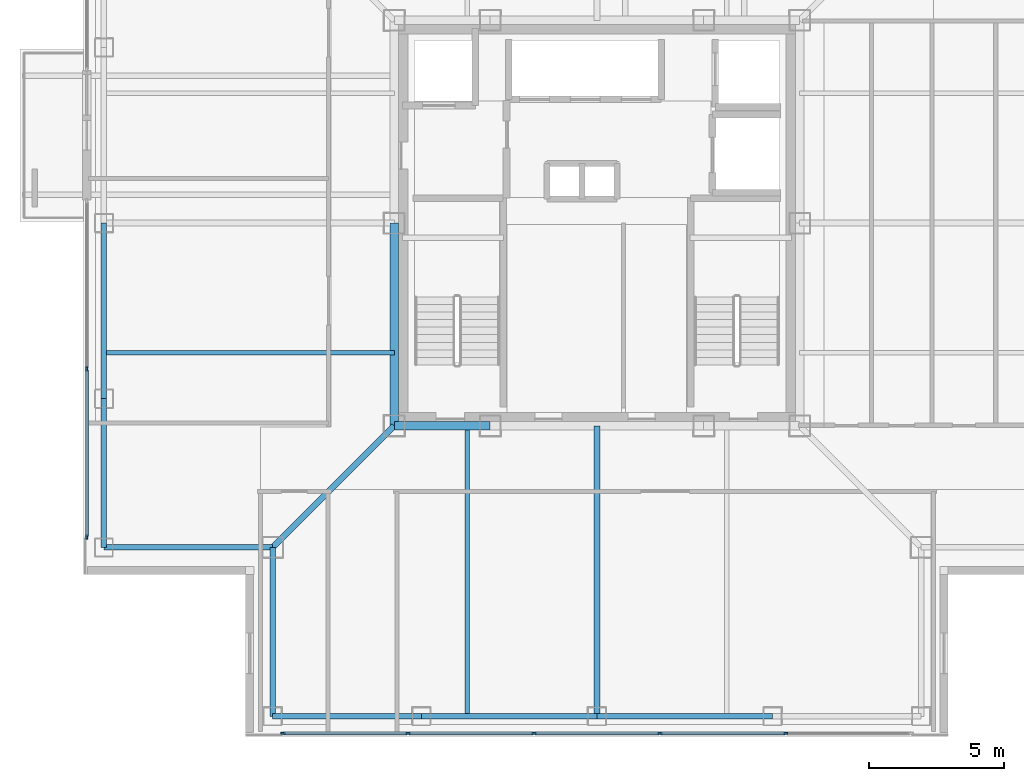
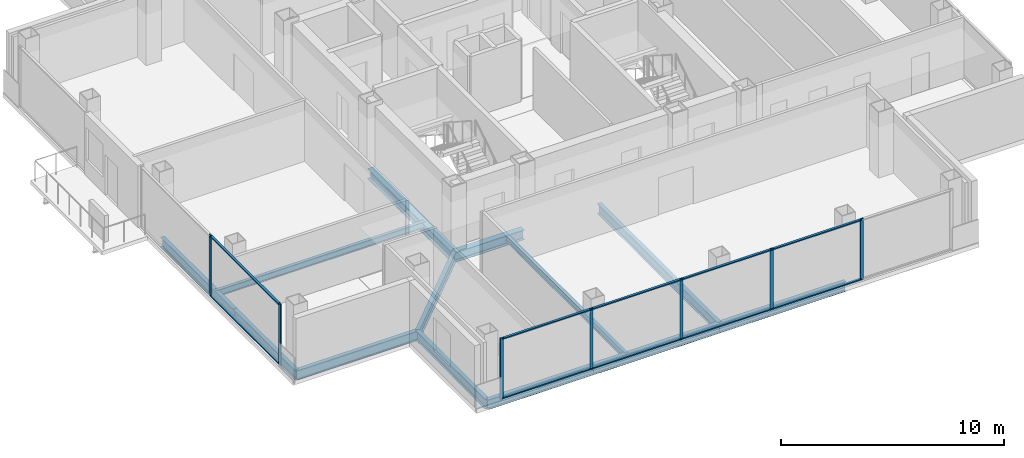
# One storey, part 2 of 13: 17 members, 13 beams, 2 elements without a shape of their own.
"""IFC4 building model written with IfcOpenShell, lengths in metres."""

from ifc_helpers import new_model, si_unit, direction, frame, origin, origin_2d, place, context, subcontext, project, spatial, rectangle, i_section, extrude, material, layer, layer_set, material_profile, profile_set, type_object, element, aggregate, save


model = new_model("IFC4")

# Units and contexts
model_context = context("Model", 3, precision=1e-05, world=origin(), true_north=direction((0.0, 1.0)))
body_context = subcontext(model_context, "Body", "Model", "MODEL_VIEW")
ifc_project = project(units=[si_unit("LENGTHUNIT", "METRE"), si_unit("AREAUNIT", "SQUARE_METRE"), si_unit("VOLUMEUNIT", "CUBIC_METRE"), si_unit("PLANEANGLEUNIT", "RADIAN"), si_unit("MASSUNIT", "GRAM", prefix="KILO")], contexts=[model_context])

# Site, building, storey
site_placement = place(None, origin())
site = spatial("IfcSite", under=ifc_project, at=site_placement, CompositionType="ELEMENT")
building_placement = place(site_placement, origin())
building = spatial("IfcBuilding", under=site, at=building_placement, Name="Trevonay Congress Spire", CompositionType="ELEMENT")
storey_placement = place(building_placement, frame((0.0, 0.0, 254.0)))
storey = spatial("IfcBuildingStorey", under=building, at=storey_placement, Name="L66", CompositionType="ELEMENT", Elevation=254.0)

# Beams
ifc_material_1 = material(Name="Steel ASTM A572 Grade 50", Category="steel")
ifc_material_profile_1 = material_profile(ifc_material_1, i_section(OverallWidth=0.2119140625, OverallDepth=0.5439453125, WebThickness=0.01318359375, FlangeThickness=0.021240234375, FilletRadius=0.014892578125, at=origin_2d()), Name="W530x123")
ifc_profile_set_1 = profile_set([ifc_material_profile_1], Name="Steel ASTM A572 Grade 50")
beam_type_1 = type_object("IfcBeamType", Name="BM-GIRD-W530X123", PredefinedType="BEAM", material=ifc_profile_set_1)
beam_1_placement = place(storey_placement, frame((-7.5, -7.5, -0.511962890625), z_axis=(-0.707106781187, -0.707106781187, 0.0), x_axis=(0.707106781187, -0.707106781187, 0.0)))
element("IfcBeam", 1, at=beam_1_placement, inside=storey, type_object=beam_type_1, Name="L66 structural beam BM-L66-CDSW", PredefinedType="BEAM", context=body_context, shape_type="SweptSolid", body=[
    extrude(i_section(OverallWidth=0.2119140625, OverallDepth=0.5439453125, WebThickness=0.01318359375, FlangeThickness=0.021240234375, FilletRadius=0.014892578125, at=origin_2d()), origin(), (0.0, 0.0, 1.0), 6.364013671875),
])
beam_2_placement = place(storey_placement, frame((0.0, -7.5, -0.511962890625), z_axis=(0.0, -1.0, 0.0), x_axis=(1.0, 0.0, 0.0)))
element("IfcBeam", 2, at=beam_2_placement, inside=storey, type_object=beam_type_1, Name="L66 structural beam BM-L66-GC-S", PredefinedType="BEAM", context=body_context, shape_type="SweptSolid", body=[
    extrude(i_section(OverallWidth=0.2119140625, OverallDepth=0.5439453125, WebThickness=0.01318359375, FlangeThickness=0.021240234375, FilletRadius=0.014892578125, at=origin_2d()), origin(), (0.0, 0.0, 1.0), 10.75),
])
ifc_material_profile_2 = material_profile(ifc_material_1, i_section(OverallWidth=0.31201171875, OverallDepth=0.54296875, WebThickness=0.0126953125, FlangeThickness=0.020263671875, FilletRadius=0.014892578125, at=origin_2d()), Name="W530x150")
ifc_profile_set_2 = profile_set([ifc_material_profile_2], Name="Steel ASTM A572 Grade 50")
beam_type_2 = type_object("IfcBeamType", Name="BM-GIRD-W530X150", PredefinedType="BEAM", material=ifc_profile_set_2)
beam_3_placement = place(storey_placement, frame((-7.5, -7.5, -0.511474609375), z_axis=(1.0, 0.0, 0.0), x_axis=(0.0, 1.0, 0.0)))
element("IfcBeam", 3, at=beam_3_placement, inside=storey, type_object=beam_type_2, Name="L66 structural beam BM-L66-CR-S1", PredefinedType="BEAM", context=body_context, shape_type="SweptSolid", body=[
    extrude(i_section(OverallWidth=0.31201171875, OverallDepth=0.54296875, WebThickness=0.0126953125, FlangeThickness=0.020263671875, FilletRadius=0.014892578125, at=origin_2d()), origin(), (0.0, 0.0, 1.0), 3.550048828125),
])
beam_4_placement = place(storey_placement, frame((-7.5, -7.5, -0.511474609375), z_axis=(0.0, 1.0, 0.0), x_axis=(-1.0, 0.0, 0.0)))
element("IfcBeam", 4, at=beam_4_placement, inside=storey, type_object=beam_type_2, Name="L66 structural beam BM-L66-CR-W1", PredefinedType="BEAM", context=body_context, shape_type="SweptSolid", body=[
    extrude(i_section(OverallWidth=0.31201171875, OverallDepth=0.54296875, WebThickness=0.0126953125, FlangeThickness=0.020263671875, FilletRadius=0.014892578125, at=origin_2d()), origin(), (0.0, 0.0, 1.0), 7.5),
])
ifc_material_profile_3 = material_profile(ifc_material_1, i_section(OverallWidth=0.208984375, OverallDepth=0.532958984375, WebThickness=0.01025390625, FlangeThickness=0.015625, FilletRadius=0.014892578125, at=origin_2d()), Name="W530x92")
ifc_profile_set_3 = profile_set([ifc_material_profile_3], Name="Steel ASTM A572 Grade 50")
beam_type_3 = type_object("IfcBeamType", Name="BM-RING-W530X92", PredefinedType="BEAM", material=ifc_profile_set_3)
for number, where, z_axis, x_axis, name in (
    (5, (-12.0, -18.25, -0.506591796875), (1.0, 0.0, 0.0), (0.0, 1.0, 0.0), "L66 structural beam BM-L66-PS1"),
    (6, (-18.25, -12.0, -0.506591796875), (0.0, 1.0, 0.0), (-1.0, 0.0, 0.0), "L66 structural beam BM-L66-PW1"),
):
    element("IfcBeam", number, at=place(storey_placement, frame(where, z_axis=z_axis, x_axis=x_axis)), inside=storey, type_object=beam_type_3, Name=name, PredefinedType="BEAM", context=body_context, shape_type="SweptSolid", body=[
        extrude(i_section(OverallWidth=0.208984375, OverallDepth=0.532958984375, WebThickness=0.01025390625, FlangeThickness=0.015625, FilletRadius=0.014892578125, at=origin_2d()), origin(), (0.0, 0.0, 1.0), 5.5),
    ])
for number, where, z_axis, x_axis, name in (
    (7, (-6.5, -18.25, -0.506591796875), (1.0, 0.0, 0.0), (0.0, 1.0, 0.0), "L66 structural beam BM-L66-PS2"),
    (8, (-18.25, -6.5, -0.506591796875), (0.0, 1.0, 0.0), (-1.0, 0.0, 0.0), "L66 structural beam BM-L66-PW2"),
    (9, (0.0, -18.25, -0.506591796875), (1.0, 0.0, 0.0), (0.0, 1.0, 0.0), "L66 structural beam BM-L66-PS3"),
):
    element("IfcBeam", number, at=place(storey_placement, frame(where, z_axis=z_axis, x_axis=x_axis)), inside=storey, type_object=beam_type_3, Name=name, PredefinedType="BEAM", context=body_context, shape_type="SweptSolid", body=[
        extrude(i_section(OverallWidth=0.208984375, OverallDepth=0.532958984375, WebThickness=0.01025390625, FlangeThickness=0.015625, FilletRadius=0.014892578125, at=origin_2d()), origin(), (0.0, 0.0, 1.0), 6.5),
    ])
for number, where, z_axis, x_axis, name in (
    (10, (-12.0, -18.25, -0.506591796875), (0.0, 1.0, 0.0), (-1.0, 0.0, 0.0), "L66 structural beam BM-L66-N1SW"),
    (11, (-18.25, -12.0, -0.506591796875), (1.0, 0.0, 0.0), (0.0, 1.0, 0.0), "L66 structural beam BM-L66-N2SW"),
):
    element("IfcBeam", number, at=place(storey_placement, frame(where, z_axis=z_axis, x_axis=x_axis)), inside=storey, type_object=beam_type_3, Name=name, PredefinedType="BEAM", context=body_context, shape_type="SweptSolid", body=[
        extrude(i_section(OverallWidth=0.208984375, OverallDepth=0.532958984375, WebThickness=0.01025390625, FlangeThickness=0.015625, FilletRadius=0.014892578125, at=origin_2d()), origin(), (0.0, 0.0, 1.0), 6.25),
    ])

# Curtain wall, members
ifc_material_2 = material(Name="Pale Anodised Aluminium EN AW-6063-T6", Category="aluminium")
ifc_layer = layer(ifc_material_2, 0.1650390625, Name="Pale Anodised Aluminium EN AW-6063-T6")
ifc_layer_set = layer_set([ifc_layer], Name="Pale Anodised Aluminium EN AW-6063-T6")
curtain_wall_type = type_object("IfcCurtainWallType", Name="CW-SYS05-DIPLOM-PALE-METAL", PredefinedType="NOTDEFINED", material=ifc_layer_set)
curtain_wall_1_placement = place(storey_placement, origin())
curtain_wall_1 = element("IfcCurtainWall", 12, at=curtain_wall_1_placement, inside=storey, type_object=curtain_wall_type, Name="L66 S unitised curtain wall", PredefinedType="NOTDEFINED")
ifc_material_profile_4 = material_profile(ifc_material_2, rectangle(XDim=0.06005859375, YDim=0.159912109375, at=origin_2d()), Name="CW-MULLION-160-ALUMINIUM")
ifc_profile_set_4 = profile_set([ifc_material_profile_4], Name="Pale Anodised Aluminium EN AW-6063-T6")
member_type_1 = type_object("IfcMemberType", Name="CW-MULLION-160-ALUMINIUM", PredefinedType="MULLION", material=ifc_profile_set_4)
member_1_placement = place(storey_placement, frame((-11.6201171875, -18.8798828125, 0.0), z_axis=(0.0, 0.0, 1.0), x_axis=(0.0, 1.0, 0.0)))
member_1 = element("IfcMember", 13, at=member_1_placement, type_object=member_type_1, Name="CW05 mullion 1", PredefinedType="MULLION", context=body_context, shape_type="SweptSolid", body=[
    extrude(rectangle(XDim=0.06005859375, YDim=0.159912109375, at=origin_2d()), origin(), (0.0, 0.0, 1.0), 3.360107421875),
])
member_2_placement = place(storey_placement, frame((-6.989990234375, -18.8798828125, 0.0), z_axis=(0.0, 0.0, 1.0), x_axis=(0.0, 1.0, 0.0)))
member_2 = element("IfcMember", 14, at=member_2_placement, type_object=member_type_1, Name="CW05 mullion 2", PredefinedType="MULLION", context=body_context, shape_type="SweptSolid", body=[
    extrude(rectangle(XDim=0.06005859375, YDim=0.159912109375, at=origin_2d()), origin(), (0.0, 0.0, 1.0), 3.360107421875),
])
member_3_placement = place(storey_placement, frame((-2.330078125, -18.8798828125, 0.0), z_axis=(0.0, 0.0, 1.0), x_axis=(0.0, 1.0, 0.0)))
member_3 = element("IfcMember", 15, at=member_3_placement, type_object=member_type_1, Name="CW05 mullion 3", PredefinedType="MULLION", context=body_context, shape_type="SweptSolid", body=[
    extrude(rectangle(XDim=0.06005859375, YDim=0.159912109375, at=origin_2d()), origin(), (0.0, 0.0, 1.0), 3.360107421875),
])
member_4_placement = place(storey_placement, frame((2.330078125, -18.8798828125, 0.0), z_axis=(0.0, 0.0, 1.0), x_axis=(0.0, 1.0, 0.0)))
member_4 = element("IfcMember", 16, at=member_4_placement, type_object=member_type_1, Name="CW05 mullion 4", PredefinedType="MULLION", context=body_context, shape_type="SweptSolid", body=[
    extrude(rectangle(XDim=0.06005859375, YDim=0.159912109375, at=origin_2d()), origin(), (0.0, 0.0, 1.0), 3.360107421875),
])
member_5_placement = place(storey_placement, frame((6.989990234375, -18.8798828125, 0.0), z_axis=(0.0, 0.0, 1.0), x_axis=(0.0, 1.0, 0.0)))
member_5 = element("IfcMember", 17, at=member_5_placement, type_object=member_type_1, Name="CW05 mullion 5", PredefinedType="MULLION", context=body_context, shape_type="SweptSolid", body=[
    extrude(rectangle(XDim=0.06005859375, YDim=0.159912109375, at=origin_2d()), origin(), (0.0, 0.0, 1.0), 3.360107421875),
])

curtain_wall_2_placement = place(storey_placement, origin())
curtain_wall_2 = element("IfcCurtainWall", 18, at=curtain_wall_2_placement, inside=storey, type_object=curtain_wall_type, Name="L66 WA unitised curtain wall", PredefinedType="NOTDEFINED")
member_6_placement = place(storey_placement, frame((-18.8798828125, -11.6201171875, 0.0), z_axis=(0.0, 0.0, 1.0), x_axis=(-1.0, 0.0, 0.0)))
member_6 = element("IfcMember", 19, at=member_6_placement, type_object=member_type_1, Name="CW05 mullion 1", PredefinedType="MULLION", context=body_context, shape_type="SweptSolid", body=[
    extrude(rectangle(XDim=0.06005859375, YDim=0.159912109375, at=origin_2d()), origin(), (0.0, 0.0, 1.0), 3.360107421875),
])
member_7_placement = place(storey_placement, frame((-18.8798828125, -5.39990234375, 0.0), z_axis=(0.0, 0.0, 1.0), x_axis=(-1.0, 0.0, 0.0)))
member_7 = element("IfcMember", 20, at=member_7_placement, type_object=member_type_1, Name="CW05 mullion 2", PredefinedType="MULLION", context=body_context, shape_type="SweptSolid", body=[
    extrude(rectangle(XDim=0.06005859375, YDim=0.159912109375, at=origin_2d()), origin(), (0.0, 0.0, 1.0), 3.360107421875),
])

# Member
ifc_material_profile_5 = material_profile(ifc_material_2, rectangle(XDim=0.1201171875, YDim=0.06005859375, at=origin_2d()), Name="CW-TRANSOM-120-ALUMINIUM")
ifc_profile_set_5 = profile_set([ifc_material_profile_5], Name="Pale Anodised Aluminium EN AW-6063-T6")
member_type_2 = type_object("IfcMemberType", Name="CW-TRANSOM-120-ALUMINIUM", PredefinedType="USERDEFINED", material=ifc_profile_set_5)
member_8_placement = place(storey_placement, frame((-11.590087890625, -18.8798828125, 0.06005859375), z_axis=(1.0, 0.0, 0.0), x_axis=(0.0, 1.0, 0.0)))
member_8 = element("IfcMember", 21, at=member_8_placement, type_object=member_type_2, Name="CW05 transom 1.1", ObjectType="TRANSOM", PredefinedType="USERDEFINED", context=body_context, shape_type="SweptSolid", body=[
    extrude(rectangle(XDim=0.1201171875, YDim=0.06005859375, at=origin_2d()), origin(), (0.0, 0.0, 1.0), 4.570068359375),
])

member_9_placement = place(storey_placement, frame((-11.590087890625, -18.8798828125, 3.300048828125), z_axis=(1.0, 0.0, 0.0), x_axis=(0.0, 1.0, 0.0)))
member_9 = element("IfcMember", 22, at=member_9_placement, type_object=member_type_2, Name="CW05 transom 1.2", ObjectType="TRANSOM", PredefinedType="USERDEFINED", context=body_context, shape_type="SweptSolid", body=[
    extrude(rectangle(XDim=0.1201171875, YDim=0.06005859375, at=origin_2d()), origin(), (0.0, 0.0, 1.0), 4.570068359375),
])

member_10_placement = place(storey_placement, frame((-6.9599609375, -18.8798828125, 0.06005859375), z_axis=(1.0, 0.0, 0.0), x_axis=(0.0, 1.0, 0.0)))
member_10 = element("IfcMember", 23, at=member_10_placement, type_object=member_type_2, Name="CW05 transom 2.1", ObjectType="TRANSOM", PredefinedType="USERDEFINED", context=body_context, shape_type="SweptSolid", body=[
    extrude(rectangle(XDim=0.1201171875, YDim=0.06005859375, at=origin_2d()), origin(), (0.0, 0.0, 1.0), 4.599853515625),
])

member_11_placement = place(storey_placement, frame((-6.9599609375, -18.8798828125, 3.300048828125), z_axis=(1.0, 0.0, 0.0), x_axis=(0.0, 1.0, 0.0)))
member_11 = element("IfcMember", 24, at=member_11_placement, type_object=member_type_2, Name="CW05 transom 2.2", ObjectType="TRANSOM", PredefinedType="USERDEFINED", context=body_context, shape_type="SweptSolid", body=[
    extrude(rectangle(XDim=0.1201171875, YDim=0.06005859375, at=origin_2d()), origin(), (0.0, 0.0, 1.0), 4.599853515625),
])

member_12_placement = place(storey_placement, frame((-2.300048828125, -18.8798828125, 0.06005859375), z_axis=(1.0, 0.0, 0.0), x_axis=(0.0, 1.0, 0.0)))
member_12 = element("IfcMember", 25, at=member_12_placement, type_object=member_type_2, Name="CW05 transom 3.1", ObjectType="TRANSOM", PredefinedType="USERDEFINED", context=body_context, shape_type="SweptSolid", body=[
    extrude(rectangle(XDim=0.1201171875, YDim=0.06005859375, at=origin_2d()), origin(), (0.0, 0.0, 1.0), 4.60009765625),
])

member_13_placement = place(storey_placement, frame((-2.300048828125, -18.8798828125, 3.300048828125), z_axis=(1.0, 0.0, 0.0), x_axis=(0.0, 1.0, 0.0)))
member_13 = element("IfcMember", 26, at=member_13_placement, type_object=member_type_2, Name="CW05 transom 3.2", ObjectType="TRANSOM", PredefinedType="USERDEFINED", context=body_context, shape_type="SweptSolid", body=[
    extrude(rectangle(XDim=0.1201171875, YDim=0.06005859375, at=origin_2d()), origin(), (0.0, 0.0, 1.0), 4.60009765625),
])

member_14_placement = place(storey_placement, frame((2.360107421875, -18.8798828125, 0.06005859375), z_axis=(1.0, 0.0, 0.0), x_axis=(0.0, 1.0, 0.0)))
member_14 = element("IfcMember", 27, at=member_14_placement, type_object=member_type_2, Name="CW05 transom 4.1", ObjectType="TRANSOM", PredefinedType="USERDEFINED", context=body_context, shape_type="SweptSolid", body=[
    extrude(rectangle(XDim=0.1201171875, YDim=0.06005859375, at=origin_2d()), origin(), (0.0, 0.0, 1.0), 4.599853515625),
])

member_15_placement = place(storey_placement, frame((2.360107421875, -18.8798828125, 3.300048828125), z_axis=(1.0, 0.0, 0.0), x_axis=(0.0, 1.0, 0.0)))
member_15 = element("IfcMember", 28, at=member_15_placement, type_object=member_type_2, Name="CW05 transom 4.2", ObjectType="TRANSOM", PredefinedType="USERDEFINED", context=body_context, shape_type="SweptSolid", body=[
    extrude(rectangle(XDim=0.1201171875, YDim=0.06005859375, at=origin_2d()), origin(), (0.0, 0.0, 1.0), 4.599853515625),
])

aggregate(curtain_wall_1, [member_1, member_2, member_3, member_4, member_5, member_8, member_9, member_10, member_11, member_12, member_13, member_14, member_15])

member_16_placement = place(storey_placement, frame((-18.8798828125, -11.590087890625, 0.06005859375), z_axis=(0.0, 1.0, 0.0), x_axis=(-1.0, 0.0, 0.0)))
member_16 = element("IfcMember", 29, at=member_16_placement, type_object=member_type_2, Name="CW05 transom 1.1", ObjectType="TRANSOM", PredefinedType="USERDEFINED", context=body_context, shape_type="SweptSolid", body=[
    extrude(rectangle(XDim=0.1201171875, YDim=0.06005859375, at=origin_2d()), origin(), (0.0, 0.0, 1.0), 6.16015625),
])

member_17_placement = place(storey_placement, frame((-18.8798828125, -11.590087890625, 3.300048828125), z_axis=(0.0, 1.0, 0.0), x_axis=(-1.0, 0.0, 0.0)))
member_17 = element("IfcMember", 30, at=member_17_placement, type_object=member_type_2, Name="CW05 transom 1.2", ObjectType="TRANSOM", PredefinedType="USERDEFINED", context=body_context, shape_type="SweptSolid", body=[
    extrude(rectangle(XDim=0.1201171875, YDim=0.06005859375, at=origin_2d()), origin(), (0.0, 0.0, 1.0), 6.16015625),
])

aggregate(curtain_wall_2, [member_6, member_7, member_16, member_17])

# Beams
ifc_material_profile_6 = material_profile(ifc_material_1, i_section(OverallWidth=0.172119140625, OverallDepth=0.35791015625, WebThickness=0.0078125, FlangeThickness=0.01318359375, FilletRadius=0.011962890625, at=origin_2d()), Name="W360x57.8")
ifc_profile_set_6 = profile_set([ifc_material_profile_6], Name="Steel ASTM A572 Grade 50")
beam_type_4 = type_object("IfcBeamType", Name="JS-COMP-W360X57", PredefinedType="JOIST", material=ifc_profile_set_6)
for number, where, z_axis, x_axis, name in (
    (31, (-4.800048828125, -18.25, -0.4189453125), (0.0, 1.0, 0.0), (-1.0, 0.0, 0.0), "L66 structural beam JS-L66-NS-S1"),
    (32, (-18.25, -4.800048828125, -0.4189453125), (1.0, 0.0, 0.0), (0.0, 1.0, 0.0), "L66 structural beam JS-L66-EW-W1"),
):
    element("IfcBeam", number, at=place(storey_placement, frame(where, z_axis=z_axis, x_axis=x_axis)), inside=storey, type_object=beam_type_4, Name=name, PredefinedType="JOIST", context=body_context, shape_type="SweptSolid", body=[
        extrude(i_section(OverallWidth=0.172119140625, OverallDepth=0.35791015625, WebThickness=0.0078125, FlangeThickness=0.01318359375, FilletRadius=0.011962890625, at=origin_2d()), origin(), (0.0, 0.0, 1.0), 10.75),
    ])

save(model, "model.ifc")
